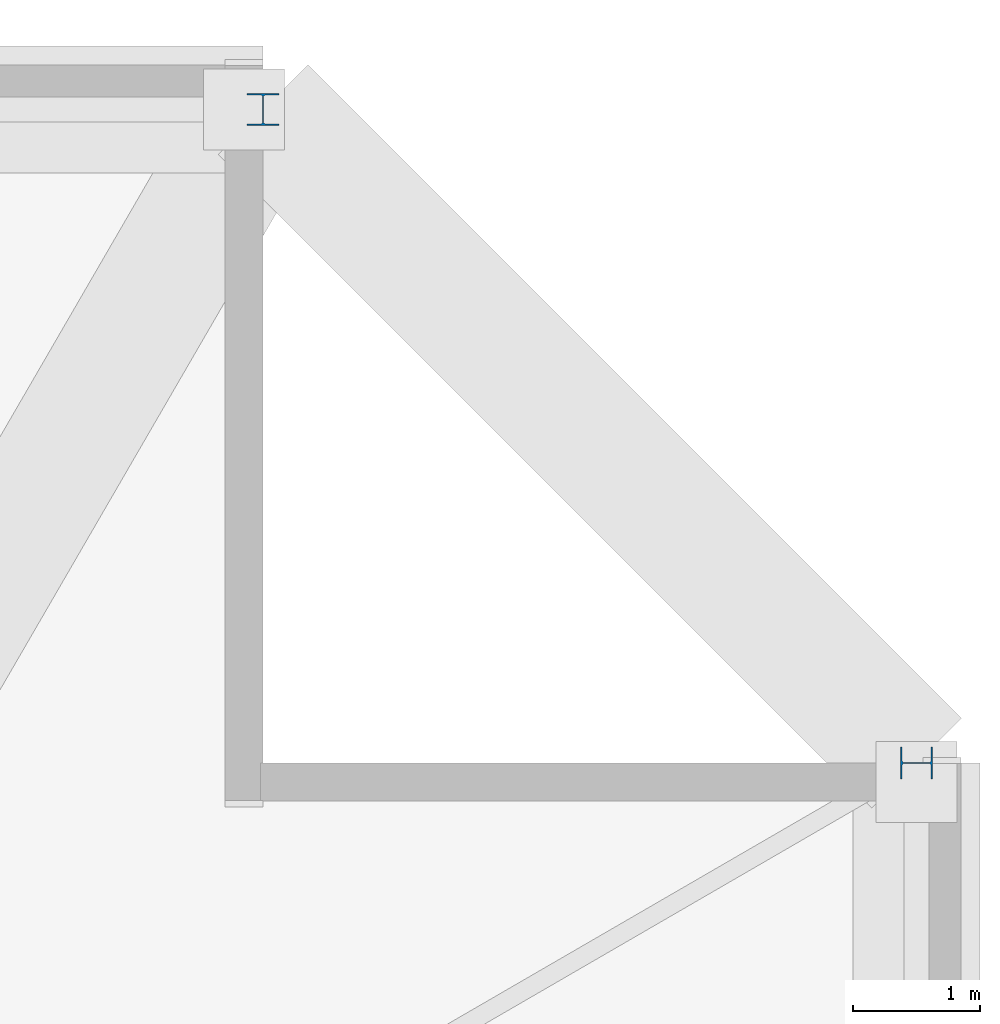
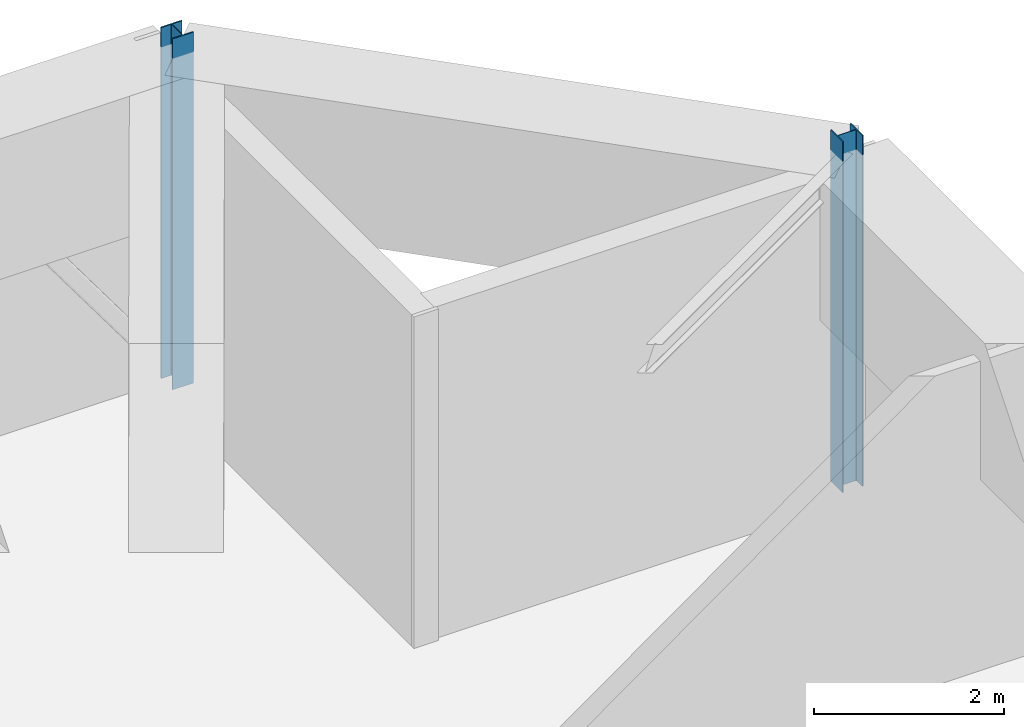
# One storey, part 5 of 17: 2 columns.
"""IFC4 building model written with IfcOpenShell, lengths in metres."""

import ifcopenshell
import ifcopenshell.guid

model = None  # the IFC model being written
_history = None  # IfcOwnerHistory: only IFC2X3 demands one
_inside = {}  # id of a spatial element -> (the spatial element, [elements in it])
_under = {}  # id of a project, library or spatial element -> (it, [spatial elements below it])
_declared = {}  # id of a project -> (the project, [libraries it declares])
_typed = {}  # id of a type object -> (the type object, [elements of that type])
_made_of = {}  # id of a material, layer set ... -> (it, [elements and type objects made of it])


def new_model(schema):
    """Start an empty IFC model of exactly this schema.

    Asked for "IFC4X3", IfcOpenShell would pick the latest addendum, in which some entities
    have other attributes; the version numbers below select the first issue.
    IFC2X3 requires an IfcOwnerHistory on every rooted entity: one is made here for all.
    """
    global model, _history
    if schema == "IFC4X3":
        model = ifcopenshell.file(schema_version=(4, 3, 0, 0))
    else:
        model = ifcopenshell.file(schema=schema)
    _inside.clear()
    _under.clear()
    _declared.clear()
    _typed.clear()
    _made_of.clear()
    _history = None
    if model.schema == "IFC2X3":
        org = make("IfcOrganization", Name="unknown")
        user = make(
            "IfcPersonAndOrganization",
            ThePerson=make("IfcPerson", FamilyName="unknown"),
            TheOrganization=org,
        )
        app = make(
            "IfcApplication",
            ApplicationDeveloper=org,
            Version="unknown",
            ApplicationFullName="unknown",
            ApplicationIdentifier="unknown",
        )
        _history = make(
            "IfcOwnerHistory",
            OwningUser=user,
            OwningApplication=app,
            ChangeAction="ADDED",
            CreationDate=0,
        )
    return model


def make(cls, **values):
    """One entity of the class cls with the attributes given. An attribute that is None is left unset."""
    return model.create_entity(
        cls, **{name: value for name, value in values.items() if value is not None}
    )


def rooted(cls, **values):
    """An entity with a GlobalId (a new one), such as an element, a storey or a relation."""
    return make(cls, GlobalId=ifcopenshell.guid.new(), OwnerHistory=_history, **values)


def si_unit(unit_type, name, prefix=None):
    """IfcSIUnit, for example si_unit("LENGTHUNIT", "METRE", prefix="MILLI")."""
    return make("IfcSIUnit", UnitType=unit_type, Prefix=prefix, Name=name)


def assignment(units):
    """IfcUnitAssignment: the units of a project."""
    return None if units is None else make("IfcUnitAssignment", Units=units)


def point(xyz):
    """IfcCartesianPoint."""
    return None if xyz is None else make("IfcCartesianPoint", Coordinates=xyz)


def direction(xyz):
    """IfcDirection."""
    return None if xyz is None else make("IfcDirection", DirectionRatios=xyz)


def frame(location, z_axis=None, x_axis=None):
    """IfcAxis2Placement3D, a coordinate frame: its origin and axes. An axis left out is left unset."""
    return make(
        "IfcAxis2Placement3D",
        Location=point(location),
        Axis=direction(z_axis),
        RefDirection=direction(x_axis),
    )


def frame_2d(location, x_axis=None):
    """IfcAxis2Placement2D, a coordinate frame in the plane: its origin and x axis."""
    return make(
        "IfcAxis2Placement2D", Location=point(location), RefDirection=direction(x_axis)
    )


def origin():
    """The frame at (0, 0, 0) with its axes left unset."""
    return frame((0.0, 0.0, 0.0))


def origin_2d():
    """The frame at (0, 0) in the plane with its x axis left unset."""
    return frame_2d((0.0, 0.0))


def place(relative_to, where):
    """IfcLocalPlacement: puts the frame where relative to a parent placement (None: the world)."""
    return make(
        "IfcLocalPlacement", PlacementRelTo=relative_to, RelativePlacement=where
    )


def context(
    kind, dimensions, precision=None, world=None, true_north=None, identifier=None
):
    """IfcGeometricRepresentationContext, for example the 3D "Model" context."""
    return make(
        "IfcGeometricRepresentationContext",
        ContextIdentifier=identifier,
        ContextType=kind,
        CoordinateSpaceDimension=dimensions,
        Precision=precision,
        WorldCoordinateSystem=world,
        TrueNorth=true_north,
    )


def subcontext(parent, identifier, kind, view, scale=None):
    """IfcGeometricRepresentationSubContext, for example "Body" below "Model"."""
    return make(
        "IfcGeometricRepresentationSubContext",
        ContextIdentifier=identifier,
        ContextType=kind,
        ParentContext=parent,
        TargetScale=scale,
        TargetView=view,
    )


def project(units=None, contexts=None):
    """IfcProject with its units and contexts."""
    return rooted(
        "IfcProject",
        Name="project",
        RepresentationContexts=contexts,
        UnitsInContext=assignment(units),
    )


def spatial(cls, under=None, at=None, **own):
    """A site, building, storey or space (cls), placed at a placement, below another one or the project."""
    s = rooted(cls, ObjectPlacement=at, **own)
    if under is not None:
        _under.setdefault(under.id(), (under, []))[1].append(s)
    return s


def profile(cls, at=None, kind="AREA", **sizes):
    """A parametric profile (cls). Its sizes go by their IFC names, for example OverallWidth=200.0."""
    return make(cls, ProfileType=kind, Position=at, **sizes)


def i_section(**sizes):
    """IfcIShapeProfileDef."""
    return profile("IfcIShapeProfileDef", **sizes)


def extrude(swept, where, along, depth):
    """IfcExtrudedAreaSolid: the profile swept, set in the frame where, extruded along a direction by depth."""
    return make(
        "IfcExtrudedAreaSolid",
        SweptArea=swept,
        Position=where,
        ExtrudedDirection=direction(along),
        Depth=depth,
    )


def shape(context_of_items, identifier, shape_type, items):
    """IfcShapeRepresentation: the items that make up one representation, for example the "Body"."""
    return make(
        "IfcShapeRepresentation",
        ContextOfItems=context_of_items,
        RepresentationIdentifier=identifier,
        RepresentationType=shape_type,
        Items=items,
    )


def material(Name=None, Category=None):
    """IfcMaterial."""
    return make("IfcMaterial", Name=Name, Category=Category)


def material_profile(
    of_material, cross_section, Name=None, Category=None, Priority=None
):
    """IfcMaterialProfile: a cross section and its material."""
    return make(
        "IfcMaterialProfile",
        Name=Name,
        Material=of_material,
        Profile=cross_section,
        Priority=Priority,
        Category=Category,
    )


def profile_set(profiles, Name=None, composite=None):
    """IfcMaterialProfileSet."""
    return make(
        "IfcMaterialProfileSet",
        Name=Name,
        MaterialProfiles=profiles,
        CompositeProfile=composite,
    )


def made_of(thing, what):
    """Note that an element or type object is made of a material, layer set ...; save() writes the relation."""
    if what is not None:
        _made_of.setdefault(what.id(), (what, []))[1].append(thing)
    return thing


def type_object(cls, material=None, **own):
    """A type object (cls), such as IfcWallType, which elements share."""
    return made_of(rooted(cls, **own), material)


def element(
    cls,
    number,
    at=None,
    inside=None,
    cuts=None,
    type_object=None,
    material=None,
    context=None,
    identifier="Body",
    shape_type=None,
    held_by="IfcProductDefinitionShape",
    body=None,
    shapes=None,
    **own,
):
    """One element of the class cls, such as IfcWall. Its Tag is "e" and its number.

    at: its placement. inside: the storey or other place that contains it. cuts: it is an
    opening in that element (IfcRelVoidsElement). A single representation is given by context,
    identifier, shape_type and body (its items); several are given by shapes. held_by: the class
    of the entity that holds the representations. save() writes the other relations.
    """
    e = rooted(cls, Tag="e%d" % number, ObjectPlacement=at, **own)
    if body is not None:
        shapes = [shape(context, identifier, shape_type, body)]
    if shapes is not None:
        e.Representation = make(held_by, Representations=shapes)
    if inside is not None:
        _inside.setdefault(inside.id(), (inside, []))[1].append(e)
    if cuts is not None:
        rooted(
            "IfcRelVoidsElement", RelatingBuildingElement=cuts, RelatedOpeningElement=e
        )
    if type_object is not None:
        _typed.setdefault(type_object.id(), (type_object, []))[1].append(e)
    return made_of(e, material)


def aggregate(whole, parts):
    """IfcRelAggregates: a whole, such as a stair, and the parts it consists of."""
    return rooted("IfcRelAggregates", RelatingObject=whole, RelatedObjects=parts)


def save(model, path):
    """Write the relations noted so far, then the file.

    IfcRelAggregates (storeys below a building ...), IfcRelContainedInSpatialStructure (elements
    in a storey), IfcRelDefinesByType, IfcRelAssociatesMaterial and IfcRelDeclares: one each for
    every whole, place, type object, material and project.
    """
    for whole, parts in _under.values():
        aggregate(whole, parts)
    for where, things in _inside.values():
        rooted(
            "IfcRelContainedInSpatialStructure",
            RelatedElements=things,
            RelatingStructure=where,
        )
    for kind, things in _typed.values():
        rooted("IfcRelDefinesByType", RelatedObjects=things, RelatingType=kind)
    for what, things in _made_of.values():
        rooted("IfcRelAssociatesMaterial", RelatedObjects=things, RelatingMaterial=what)
    for by, libraries in _declared.values():
        rooted("IfcRelDeclares", RelatingContext=by, RelatedDefinitions=libraries)
    model.write(path)


model = new_model("IFC4")

# Units and contexts
model_context = context("Model", 3, precision=1e-05, world=origin(), true_north=direction((0.0, 1.0)))
body_context = subcontext(model_context, "Body", "Model", "MODEL_VIEW")
ifc_project = project(units=[si_unit("LENGTHUNIT", "METRE"), si_unit("AREAUNIT", "SQUARE_METRE"), si_unit("VOLUMEUNIT", "CUBIC_METRE"), si_unit("PLANEANGLEUNIT", "RADIAN"), si_unit("MASSUNIT", "GRAM", prefix="KILO")], contexts=[model_context])

# Site, building, storey
site_placement = place(None, origin())
site = spatial("IfcSite", under=ifc_project, at=site_placement, CompositionType="ELEMENT")
building_placement = place(site_placement, origin())
building = spatial("IfcBuilding", under=site, at=building_placement, Name="Cairnveth Concourse Tower", CompositionType="ELEMENT")
storey_placement = place(building_placement, frame((0.0, 0.0, 320.0)))
storey = spatial("IfcBuildingStorey", under=building, at=storey_placement, Name="L88", CompositionType="ELEMENT", Elevation=320.0)

# Columns
ifc_material = material(Name="Steel Grade 350", Category="steel")
ifc_material_profile = material_profile(ifc_material, i_section(OverallWidth=0.25390625, OverallDepth=0.25390625, WebThickness=0.008544921875, FlangeThickness=0.01416015625, FilletRadius=0.012939453125, at=origin_2d()), Name="250UC72.9")
ifc_profile_set = profile_set([ifc_material_profile], Name="Steel Grade 350")
column_type = type_object("IfcColumnType", Name="UNIVERSAL STEEL COLUMN 250UC72.9", PredefinedType="COLUMN", material=ifc_profile_set)
for number, where, z_axis, x_axis, name in (
    (1, (72.64990234375, 54.5, 0.0), (0.0, 0.0, 1.0), (0.0, 1.0, 0.0), "Column P-E4 L88"),
    (2, (67.5, 59.64990234375, 0.0), (0.0, 0.0, 1.0), (1.0, 0.0, 0.0), "Column P-N1 L88"),
):
    element("IfcColumn", number, at=place(storey_placement, frame(where, z_axis=z_axis, x_axis=x_axis)), inside=storey, type_object=column_type, Name=name, PredefinedType="COLUMN", context=body_context, shape_type="SweptSolid", body=[
        extrude(i_section(OverallWidth=0.25390625, OverallDepth=0.25390625, WebThickness=0.008544921875, FlangeThickness=0.01416015625, FilletRadius=0.012939453125, at=origin_2d()), origin(), (0.0, 0.0, 1.0), 4.5),
    ])

save(model, "model.ifc")
